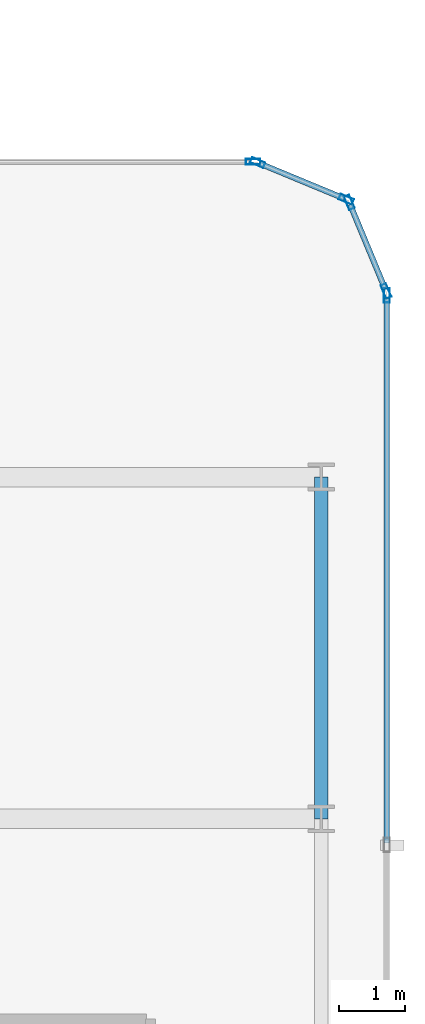
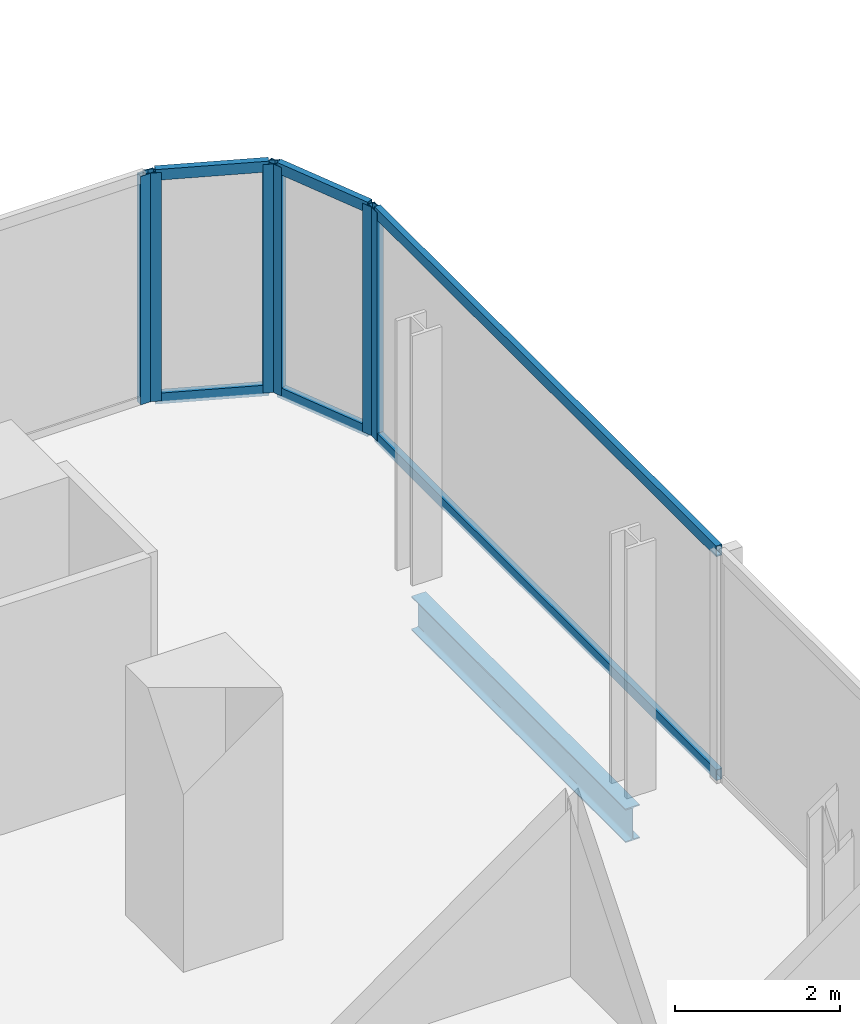
# One storey, part 19 of 34: 12 members, 1 beam, 4 elements without a shape of their own.
"""IFC4 building model written with IfcOpenShell, lengths in metres."""

from ifc_helpers import new_model, si_unit, direction, frame, origin, origin_2d, place, context, subcontext, project, spatial, hollow_rectangle, i_section, extrude, material, layer, layer_set, material_profile, profile_set, type_object, element, aggregate, save


model = new_model("IFC4")

# Units and contexts
model_context = context("Model", 3, precision=1e-05, world=origin(), true_north=direction((0.0, 1.0)))
body_context = subcontext(model_context, "Body", "Model", "MODEL_VIEW")
ifc_project = project(units=[si_unit("LENGTHUNIT", "METRE"), si_unit("AREAUNIT", "SQUARE_METRE"), si_unit("VOLUMEUNIT", "CUBIC_METRE"), si_unit("PLANEANGLEUNIT", "RADIAN"), si_unit("MASSUNIT", "GRAM", prefix="KILO")], contexts=[model_context])

# Site, building, storey
site_placement = place(None, origin())
site = spatial("IfcSite", under=ifc_project, at=site_placement, CompositionType="ELEMENT")
building_placement = place(site_placement, origin())
building = spatial("IfcBuilding", under=site, at=building_placement, Name="Keshet Zoharim Tower", CompositionType="ELEMENT")
storey_placement = place(building_placement, frame((0.0, 0.0, 46.199951171875)))
storey = spatial("IfcBuildingStorey", under=building, at=storey_placement, Name="L10", CompositionType="ELEMENT", Elevation=46.199951171875)

# Beam
ifc_material_1 = material(Name="Steel S355", Category="steel")
ifc_material_profile_1 = material_profile(ifc_material_1, i_section(OverallWidth=0.199951171875, OverallDepth=0.5, WebThickness=0.01025390625, FlangeThickness=0.01611328125, FilletRadius=0.02099609375, at=origin_2d()), Name="IPE500")
ifc_profile_set_1 = profile_set([ifc_material_profile_1], Name="Steel S355")
beam_type = type_object("IfcBeamType", Name="BM-PRI-IP500", PredefinedType="BEAM", material=ifc_profile_set_1)
beam_placement = place(storey_placement, frame((69.0, 22.699951171875, -0.56494140625), z_axis=(0.0, 1.0, 0.0), x_axis=(-1.0, 0.0, 0.0)))
element("IfcBeam", 1, at=beam_placement, inside=storey, type_object=beam_type, Name="L10 Primary Girder Y-025", PredefinedType="BEAM", context=body_context, shape_type="SweptSolid", body=[
    extrude(i_section(OverallWidth=0.199951171875, OverallDepth=0.5, WebThickness=0.01025390625, FlangeThickness=0.01611328125, FilletRadius=0.02099609375, at=origin_2d()), origin(), (0.0, 0.0, 1.0), 5.199951171875),
])

# Curtain wall, member
ifc_material_2 = material(Name="Aluminium 6063-T6", Category="aluminium")
ifc_layer = layer(ifc_material_2, 0.169921875)
ifc_layer_set = layer_set([ifc_layer], Name="Aluminium 6063-T6")
curtain_wall_type = type_object("IfcCurtainWallType", Name="CW-SYS-02", PredefinedType="NOTDEFINED", material=ifc_layer_set)
curtain_wall_1_placement = place(storey_placement, origin())
curtain_wall_1 = element("IfcCurtainWall", 2, at=curtain_wall_1_placement, inside=storey, type_object=curtain_wall_type, Name="L10 Unitised Curtain Wall 13", PredefinedType="NOTDEFINED")
ifc_material_profile_2 = material_profile(ifc_material_2, hollow_rectangle(XDim=0.090087890625, YDim=0.219970703125, WallThickness=0.0048828125, at=origin_2d()), Name="MUL-90x220")
ifc_profile_set_2 = profile_set([ifc_material_profile_2], Name="Aluminium 6063-T6")
member_type_1 = type_object("IfcMemberType", Name="CWM-M22", PredefinedType="MULLION", material=ifc_profile_set_2)
member_1_placement = place(storey_placement, frame((67.965087890625, 32.699951171875, 0.0), z_axis=(0.0, 0.0, 1.0), x_axis=(0.0, 1.0, 0.0)))
member_1 = element("IfcMember", 3, at=member_1_placement, type_object=member_type_1, Name="CW-02 mullion 2", PredefinedType="MULLION", context=body_context, shape_type="SweptSolid", body=[
    extrude(hollow_rectangle(XDim=0.090087890625, YDim=0.219970703125, WallThickness=0.0048828125, at=origin_2d()), origin(), (0.0, 0.0, 1.0), 3.385009765625),
])
aggregate(curtain_wall_1, [member_1])

# Curtain wall, members
curtain_wall_2_placement = place(storey_placement, origin())
curtain_wall_2 = element("IfcCurtainWall", 4, at=curtain_wall_2_placement, inside=storey, type_object=curtain_wall_type, Name="L10 Unitised Curtain Wall 14", PredefinedType="NOTDEFINED")
member_2_placement = place(storey_placement, frame((68.0322265625, 32.6865234375, 0.0), z_axis=(0.0, 0.0, 1.0), x_axis=(0.382851849847, 0.92380975372, 0.0)))
member_2 = element("IfcMember", 5, at=member_2_placement, type_object=member_type_1, Name="CW-02 mullion 1", PredefinedType="MULLION", context=body_context, shape_type="SweptSolid", body=[
    extrude(hollow_rectangle(XDim=0.090087890625, YDim=0.219970703125, WallThickness=0.0048828125, at=origin_2d()), origin(), (0.0, 0.0, 1.0), 3.385009765625),
])
member_3_placement = place(storey_placement, frame((69.381591796875, 32.12744140625, 0.0), z_axis=(0.0, 0.0, 1.0), x_axis=(0.382851849847, 0.92380975372, 0.0)))
member_3 = element("IfcMember", 6, at=member_3_placement, type_object=member_type_1, Name="CW-02 mullion 2", PredefinedType="MULLION", context=body_context, shape_type="SweptSolid", body=[
    extrude(hollow_rectangle(XDim=0.090087890625, YDim=0.219970703125, WallThickness=0.0048828125, at=origin_2d()), origin(), (0.0, 0.0, 1.0), 3.385009765625),
])

curtain_wall_3_placement = place(storey_placement, origin())
curtain_wall_3 = element("IfcCurtainWall", 7, at=curtain_wall_3_placement, inside=storey, type_object=curtain_wall_type, Name="L10 Unitised Curtain Wall 15", PredefinedType="NOTDEFINED")
member_4_placement = place(storey_placement, frame((69.427490234375, 32.081787109375, 0.0), z_axis=(0.0, 0.0, 1.0), x_axis=(0.92380975372, 0.382851849847, 0.0)))
member_4 = element("IfcMember", 8, at=member_4_placement, type_object=member_type_1, Name="CW-02 mullion 1", PredefinedType="MULLION", context=body_context, shape_type="SweptSolid", body=[
    extrude(hollow_rectangle(XDim=0.090087890625, YDim=0.219970703125, WallThickness=0.0048828125, at=origin_2d()), origin(), (0.0, 0.0, 1.0), 3.385009765625),
])
member_5_placement = place(storey_placement, frame((69.986572265625, 30.732421875, 0.0), z_axis=(0.0, 0.0, 1.0), x_axis=(0.92380975372, 0.382851849847, 0.0)))
member_5 = element("IfcMember", 9, at=member_5_placement, type_object=member_type_1, Name="CW-02 mullion 2", PredefinedType="MULLION", context=body_context, shape_type="SweptSolid", body=[
    extrude(hollow_rectangle(XDim=0.090087890625, YDim=0.219970703125, WallThickness=0.0048828125, at=origin_2d()), origin(), (0.0, 0.0, 1.0), 3.385009765625),
])

# Curtain wall, member
curtain_wall_4_placement = place(storey_placement, origin())
curtain_wall_4 = element("IfcCurtainWall", 10, at=curtain_wall_4_placement, inside=storey, type_object=curtain_wall_type, Name="L10 Unitised Curtain Wall 16", PredefinedType="NOTDEFINED")
member_6_placement = place(storey_placement, frame((70.0, 30.6650390625, 0.0), z_axis=(0.0, 0.0, 1.0), x_axis=(1.0, 0.0, 0.0)))
member_6 = element("IfcMember", 11, at=member_6_placement, type_object=member_type_1, Name="CW-02 mullion 1", PredefinedType="MULLION", context=body_context, shape_type="SweptSolid", body=[
    extrude(hollow_rectangle(XDim=0.090087890625, YDim=0.219970703125, WallThickness=0.0048828125, at=origin_2d()), origin(), (0.0, 0.0, 1.0), 3.385009765625),
])

# Member
ifc_material_profile_3 = material_profile(ifc_material_2, hollow_rectangle(XDim=0.0849609375, YDim=0.159912109375, WallThickness=0.00439453125, at=origin_2d()), Name="TRN-85x160")
ifc_profile_set_3 = profile_set([ifc_material_profile_3], Name="Aluminium 6063-T6")
member_type_2 = type_object("IfcMemberType", Name="CWT-T16", PredefinedType="USERDEFINED", material=ifc_profile_set_3)
member_7_placement = place(storey_placement, frame((68.064697265625, 32.673095703125, 0.03515625), z_axis=(0.923854189844, -0.382744609247, 0.0), x_axis=(0.382744609247, 0.923854189844, 0.0)))
member_7 = element("IfcMember", 12, at=member_7_placement, type_object=member_type_2, Name="CW-02 transom 1.1", ObjectType="TRANSOM", PredefinedType="USERDEFINED", context=body_context, shape_type="SweptSolid", body=[
    extrude(hollow_rectangle(XDim=0.0849609375, YDim=0.159912109375, WallThickness=0.00439453125, at=origin_2d()), origin(), (0.0, 0.0, 1.0), 1.390625),
])

member_8_placement = place(storey_placement, frame((68.064697265625, 32.673095703125, 3.35009765625), z_axis=(0.923854189844, -0.382744609247, 0.0), x_axis=(0.382744609247, 0.923854189844, 0.0)))
member_8 = element("IfcMember", 13, at=member_8_placement, type_object=member_type_2, Name="CW-02 transom 1.2", ObjectType="TRANSOM", PredefinedType="USERDEFINED", context=body_context, shape_type="SweptSolid", body=[
    extrude(hollow_rectangle(XDim=0.0849609375, YDim=0.159912109375, WallThickness=0.00439453125, at=origin_2d()), origin(), (0.0, 0.0, 1.0), 1.390625),
])

aggregate(curtain_wall_2, [member_2, member_3, member_7, member_8])

member_9_placement = place(storey_placement, frame((69.44091796875, 32.04931640625, 0.03515625), z_axis=(0.382744609247, -0.923854189844, 0.0), x_axis=(0.923854189844, 0.382744609247, 0.0)))
member_9 = element("IfcMember", 14, at=member_9_placement, type_object=member_type_2, Name="CW-02 transom 1.1", ObjectType="TRANSOM", PredefinedType="USERDEFINED", context=body_context, shape_type="SweptSolid", body=[
    extrude(hollow_rectangle(XDim=0.0849609375, YDim=0.159912109375, WallThickness=0.00439453125, at=origin_2d()), origin(), (0.0, 0.0, 1.0), 1.390625),
])

member_10_placement = place(storey_placement, frame((69.44091796875, 32.04931640625, 3.35009765625), z_axis=(0.382744609247, -0.923854189844, 0.0), x_axis=(0.923854189844, 0.382744609247, 0.0)))
member_10 = element("IfcMember", 15, at=member_10_placement, type_object=member_type_2, Name="CW-02 transom 1.2", ObjectType="TRANSOM", PredefinedType="USERDEFINED", context=body_context, shape_type="SweptSolid", body=[
    extrude(hollow_rectangle(XDim=0.0849609375, YDim=0.159912109375, WallThickness=0.00439453125, at=origin_2d()), origin(), (0.0, 0.0, 1.0), 1.390625),
])

aggregate(curtain_wall_3, [member_4, member_5, member_9, member_10])

member_11_placement = place(storey_placement, frame((70.0, 30.6298828125, 0.03515625), z_axis=(0.0, -1.0, 0.0), x_axis=(1.0, 0.0, 0.0)))
member_11 = element("IfcMember", 16, at=member_11_placement, type_object=member_type_2, Name="CW-02 transom 1.1", ObjectType="TRANSOM", PredefinedType="USERDEFINED", context=body_context, shape_type="SweptSolid", body=[
    extrude(hollow_rectangle(XDim=0.0849609375, YDim=0.159912109375, WallThickness=0.00439453125, at=origin_2d()), origin(), (0.0, 0.0, 1.0), 8.29638671875),
])

member_12_placement = place(storey_placement, frame((70.0, 30.6298828125, 3.35009765625), z_axis=(0.0, -1.0, 0.0), x_axis=(1.0, 0.0, 0.0)))
member_12 = element("IfcMember", 17, at=member_12_placement, type_object=member_type_2, Name="CW-02 transom 1.2", ObjectType="TRANSOM", PredefinedType="USERDEFINED", context=body_context, shape_type="SweptSolid", body=[
    extrude(hollow_rectangle(XDim=0.0849609375, YDim=0.159912109375, WallThickness=0.00439453125, at=origin_2d()), origin(), (0.0, 0.0, 1.0), 8.29638671875),
])

aggregate(curtain_wall_4, [member_6, member_11, member_12])

save(model, "model.ifc")
